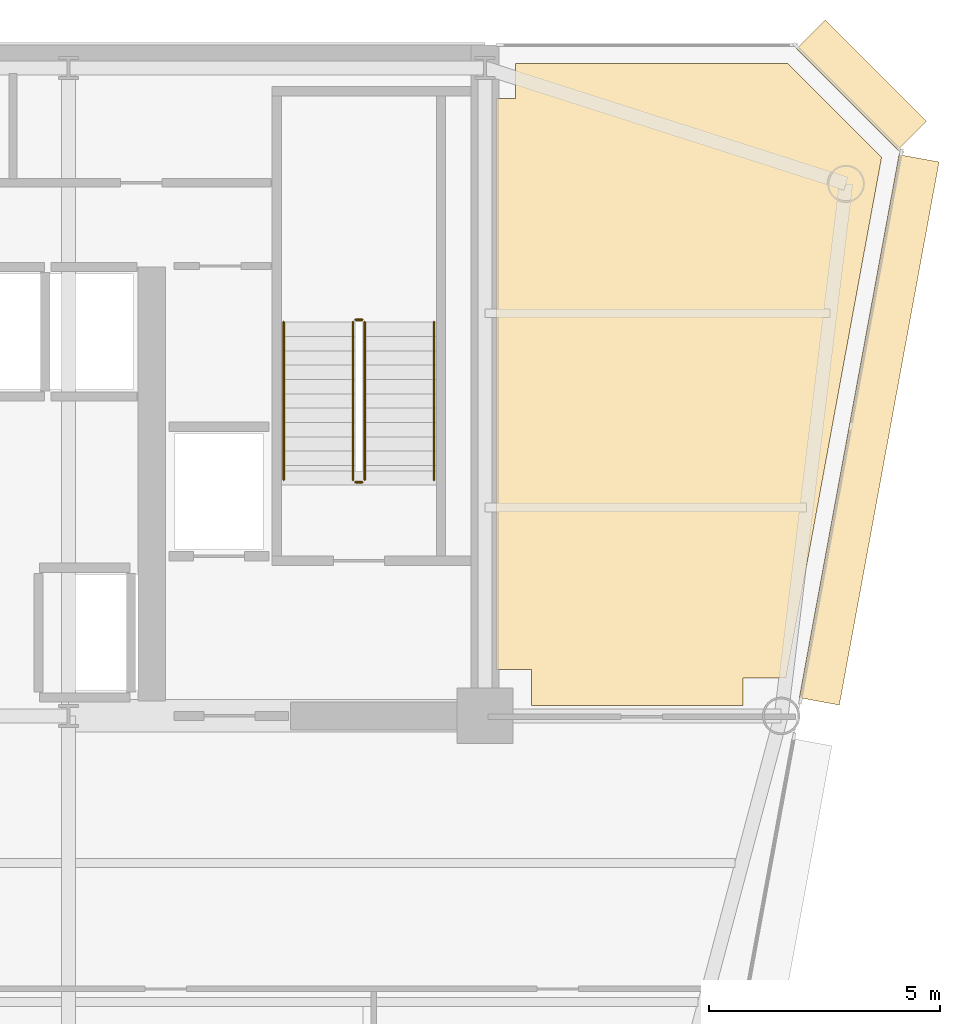
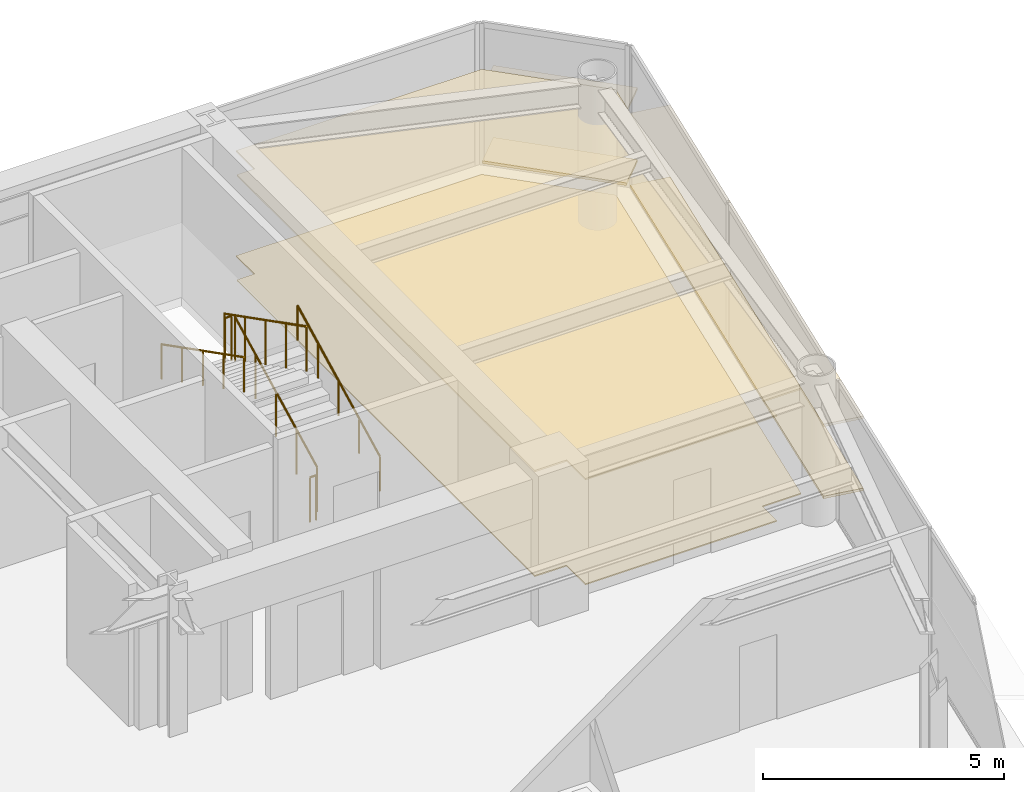
# One storey, part 16 of 16: 6 coverings, 6 railings.
"""IFC4 building model written with IfcOpenShell, lengths in metres."""

from ifc_helpers import new_model, si_unit, direction, frame, origin, origin_2d, place, context, subcontext, project, spatial, polyline, rectangle, circle, outline, extrude, source, transform, mapped, material, layer, layer_set, type_object, element, save


model = new_model("IFC4")

# Units and contexts
model_context = context("Model", 3, precision=1e-05, world=origin(), true_north=direction((0.0, 1.0)))
body_context = subcontext(model_context, "Body", "Model", "MODEL_VIEW")
ifc_project = project(units=[si_unit("LENGTHUNIT", "METRE"), si_unit("AREAUNIT", "SQUARE_METRE"), si_unit("VOLUMEUNIT", "CUBIC_METRE"), si_unit("PLANEANGLEUNIT", "RADIAN"), si_unit("MASSUNIT", "GRAM", prefix="KILO")], contexts=[model_context])

# Site, building, storey
site_placement = place(None, origin())
site = spatial("IfcSite", under=ifc_project, at=site_placement, CompositionType="ELEMENT")
building_placement = place(site_placement, origin())
building = spatial("IfcBuilding", under=site, at=building_placement, Name="Vaeldorn Concourse Tower", CompositionType="ELEMENT")
storey_placement = place(building_placement, frame((0.0, 0.0, 188.0)))
storey = spatial("IfcBuildingStorey", under=building, at=storey_placement, Name="L48", CompositionType="ELEMENT", Elevation=188.0)

# Coverings
ifc_material_1 = material(Name="Acoustic Mineral Fibre Board", Category="gypsum")
ifc_layer_1 = layer(ifc_material_1, 0.0400390625)
ifc_layer_set_1 = layer_set([ifc_layer_1], Name="Acoustic Mineral Fibre Board")
covering_type_1 = type_object("IfcCoveringType", Name="COV-CEIL-ACOUSTIC", PredefinedType="CEILING", material=ifc_layer_set_1)
covering_1_placement = place(storey_placement, frame((0.0, 0.0, 2.64990234375)))
element("IfcCovering", 1, at=covering_1_placement, inside=storey, type_object=covering_type_1, Name="Suspended Acoustic Ceiling L48-5", PredefinedType="CEILING", context=body_context, shape_type="SweptSolid", body=[
    extrude(outline(polyline([(54.659912109375, 49.840087890625), (54.659912109375, 50.60009765625), (60.5341796875, 50.60009765625), (62.568603515625, 48.565673828125), (60.50390625, 37.320068359375), (59.580078125, 37.320068359375), (59.580078125, 36.719970703125), (55.0, 36.719970703125), (55.0, 37.5), (54.239990234375, 37.5), (54.239990234375, 49.840087890625), (54.659912109375, 49.840087890625)])), origin(), (0.0, 0.0, 1.0), 0.0400390625),
])
ifc_material_2 = material(Name="Honed Limestone Terrazzo Flooring", Category="masonry")
ifc_layer_2 = layer(ifc_material_2, 0.0400390625)
ifc_layer_set_2 = layer_set([ifc_layer_2], Name="Honed Limestone Terrazzo Flooring")
covering_type_2 = type_object("IfcCoveringType", Name="COV-FLOOR-STONE", PredefinedType="FLOORING", material=ifc_layer_set_2)
covering_2_placement = place(storey_placement, origin())
element("IfcCovering", 2, at=covering_2_placement, inside=storey, type_object=covering_type_2, Name="Floor Finish Covering L48-5", PredefinedType="FLOORING", context=body_context, shape_type="SweptSolid", body=[
    extrude(outline(polyline([(54.659912109375, 49.840087890625), (54.659912109375, 50.60009765625), (60.5341796875, 50.60009765625), (62.568603515625, 48.565673828125), (60.50390625, 37.320068359375), (59.580078125, 37.320068359375), (59.580078125, 36.719970703125), (55.0, 36.719970703125), (55.0, 37.5), (54.239990234375, 37.5), (54.239990234375, 49.840087890625), (54.659912109375, 49.840087890625)])), origin(), (0.0, 0.0, 1.0), 0.030029296875),
])

# Railings
ifc_material_3 = material(Name="Anodised Bronze Aluminium", Category="aluminium")
railing_type_1 = type_object("IfcRailingType", Name="RL-STAIR-GUARD", PredefinedType="GUARDRAIL", material=ifc_material_3)
railing_1_placement = place(storey_placement, frame((51.39990234375, 41.60009765625, 0.158447265625)))
element("IfcRailing", 3, at=railing_1_placement, inside=storey, type_object=railing_type_1, Name="L48 ST-2 stair guard 1", PredefinedType="GUARDRAIL", context=body_context, shape_type="SweptSolid", body=[
    extrude(circle(Radius=0.02392578125, at=origin_2d()), frame((0.0, 0.0, 1.1259765625), z_axis=(0.0, 0.890581635807, 0.454823427236), x_axis=(-1.0, 0.0, 0.0)), (0.0, 0.0, 1.0), 3.828857421875),
    extrude(circle(Radius=0.02099609375, at=origin_2d()), origin(), (0.0, 0.0, 1.0), 1.101806640625),
    extrude(circle(Radius=0.02099609375, at=origin_2d()), frame((0.0, 0.8525390625, 0.435302734375)), (0.0, 0.0, 1.0), 1.101806640625),
    extrude(circle(Radius=0.02099609375, at=origin_2d()), frame((0.0, 1.705078125, 0.87060546875)), (0.0, 0.0, 1.0), 1.101806640625),
    extrude(circle(Radius=0.02099609375, at=origin_2d()), frame((0.0, 2.557373046875, 1.30615234375)), (0.0, 0.0, 1.0), 1.101806640625),
    extrude(circle(Radius=0.02099609375, at=origin_2d()), frame((0.0, 3.409912109375, 1.741455078125)), (0.0, 0.0, 1.0), 1.101806640625),
])
railing_2_placement = place(storey_placement, frame((51.35009765625, 45.06005859375, 1.89990234375)))
element("IfcRailing", 4, at=railing_2_placement, inside=storey, type_object=railing_type_1, Name="L48 ST-2 stair guard 2", PredefinedType="GUARDRAIL", context=body_context, shape_type="SweptSolid", body=[
    extrude(circle(Radius=0.02392578125, at=origin_2d()), frame((0.0, 0.0, 1.1259765625), z_axis=(-1.0, 0.0, 0.0), x_axis=(0.0, -1.0, 0.0)), (0.0, 0.0, 1.0), 0.150146484375),
    extrude(circle(Radius=0.02099609375, at=origin_2d()), origin(), (0.0, 0.0, 1.0), 1.101806640625),
    extrude(circle(Radius=0.02099609375, at=origin_2d()), frame((-0.150146484375, 0.0, 0.0)), (0.0, 0.0, 1.0), 1.101806640625),
])
railing_3_placement = place(storey_placement, frame((51.14990234375, 45.010009765625, 2.058349609375)))
element("IfcRailing", 5, at=railing_3_placement, inside=storey, type_object=railing_type_1, Name="L48 ST-2 stair guard 3", PredefinedType="GUARDRAIL", context=body_context, shape_type="SweptSolid", body=[
    extrude(circle(Radius=0.02392578125, at=origin_2d()), frame((0.0, 0.0, 1.1259765625), z_axis=(0.0, -0.890555807335, 0.454873997962), x_axis=(1.0, 0.0, 0.0)), (0.0, 0.0, 1.0), 3.828857421875),
    extrude(circle(Radius=0.02099609375, at=origin_2d()), origin(), (0.0, 0.0, 1.0), 1.101806640625),
    extrude(circle(Radius=0.02099609375, at=origin_2d()), frame((0.0, -0.8525390625, 0.435546875)), (0.0, 0.0, 1.0), 1.101806640625),
    extrude(circle(Radius=0.02099609375, at=origin_2d()), frame((0.0, -1.705078125, 0.870849609375)), (0.0, 0.0, 1.0), 1.101806640625),
    extrude(circle(Radius=0.02099609375, at=origin_2d()), frame((0.0, -2.557373046875, 1.30615234375)), (0.0, 0.0, 1.0), 1.101806640625),
    extrude(circle(Radius=0.02099609375, at=origin_2d()), frame((0.0, -3.409912109375, 1.74169921875)), (0.0, 0.0, 1.0), 1.101806640625),
])
railing_4_placement = place(storey_placement, frame((51.35009765625, 41.550048828125, 0.0)))
element("IfcRailing", 6, at=railing_4_placement, inside=storey, type_object=railing_type_1, Name="L48 ST-2 stair guard 4", PredefinedType="GUARDRAIL", context=body_context, shape_type="SweptSolid", body=[
    extrude(circle(Radius=0.02392578125, at=origin_2d()), frame((0.0, 0.0, 1.1259765625), z_axis=(-1.0, 0.0, 0.0), x_axis=(0.0, -1.0, 0.0)), (0.0, 0.0, 1.0), 0.150146484375),
    extrude(circle(Radius=0.02099609375, at=origin_2d()), origin(), (0.0, 0.0, 1.0), 1.101806640625),
    extrude(circle(Radius=0.02099609375, at=origin_2d()), frame((-0.150146484375, 0.0, 0.0)), (0.0, 0.0, 1.0), 1.101806640625),
])
railing_type_2 = type_object("IfcRailingType", Name="RL-STAIR-HANDRAIL", PredefinedType="HANDRAIL", material=ifc_material_3)
railing_5_placement = place(storey_placement, frame((52.89990234375, 41.60009765625, 0.158447265625)))
element("IfcRailing", 7, at=railing_5_placement, inside=storey, type_object=railing_type_2, Name="L48 ST-2 stair handrail 1", PredefinedType="HANDRAIL", context=body_context, shape_type="SweptSolid", body=[
    extrude(circle(Radius=0.02392578125, at=origin_2d()), frame((0.0, 0.0, 0.8759765625), z_axis=(0.0, 0.890581635807, 0.454823427236), x_axis=(-1.0, 0.0, 0.0)), (0.0, 0.0, 1.0), 3.828857421875),
    extrude(circle(Radius=0.02099609375, at=origin_2d()), origin(), (0.0, 0.0, 1.0), 0.851806640625),
    extrude(circle(Radius=0.02099609375, at=origin_2d()), frame((0.0, 0.8525390625, 0.435302734375)), (0.0, 0.0, 1.0), 0.851806640625),
    extrude(circle(Radius=0.02099609375, at=origin_2d()), frame((0.0, 1.705078125, 0.87060546875)), (0.0, 0.0, 1.0), 0.851806640625),
    extrude(circle(Radius=0.02099609375, at=origin_2d()), frame((0.0, 2.557373046875, 1.30615234375)), (0.0, 0.0, 1.0), 0.851806640625),
    extrude(circle(Radius=0.02099609375, at=origin_2d()), frame((0.0, 3.409912109375, 1.741455078125)), (0.0, 0.0, 1.0), 0.851806640625),
])
railing_6_placement = place(storey_placement, frame((49.64990234375, 45.010009765625, 2.058349609375)))
element("IfcRailing", 8, at=railing_6_placement, inside=storey, type_object=railing_type_2, Name="L48 ST-2 stair handrail 2", PredefinedType="HANDRAIL", context=body_context, shape_type="SweptSolid", body=[
    extrude(circle(Radius=0.02392578125, at=origin_2d()), frame((0.0, 0.0, 0.8759765625), z_axis=(0.0, -0.890555807335, 0.454873997962), x_axis=(1.0, 0.0, 0.0)), (0.0, 0.0, 1.0), 3.828857421875),
    extrude(circle(Radius=0.02099609375, at=origin_2d()), origin(), (0.0, 0.0, 1.0), 0.851806640625),
    extrude(circle(Radius=0.02099609375, at=origin_2d()), frame((0.0, -0.8525390625, 0.435546875)), (0.0, 0.0, 1.0), 0.851806640625),
    extrude(circle(Radius=0.02099609375, at=origin_2d()), frame((0.0, -1.705078125, 0.870849609375)), (0.0, 0.0, 1.0), 0.851806640625),
    extrude(circle(Radius=0.02099609375, at=origin_2d()), frame((0.0, -2.557373046875, 1.30615234375)), (0.0, 0.0, 1.0), 0.851806640625),
    extrude(circle(Radius=0.02099609375, at=origin_2d()), frame((0.0, -3.409912109375, 1.74169921875)), (0.0, 0.0, 1.0), 0.851806640625),
])

# Coverings
ifc_layer_3 = layer(ifc_material_3, 0.06494140625)
ifc_layer_set_3 = layer_set([ifc_layer_3], Name="Anodised Bronze Aluminium")
covering_type_3 = type_object("IfcCoveringType", Name="SD-BRONZE-SUNSHADE", PredefinedType="USERDEFINED", material=ifc_layer_set_3)
shared_shape_1 = source(origin(), body_context, "Body", "SweptSolid", [
    extrude(rectangle(XDim=3.0927734375, YDim=0.8798828125, at=origin_2d()), origin(), (0.0, 0.0, 1.0), 0.06494140625),
])
for number, where, z_axis, x_axis, name in (
    (9, (62.1328125, 50.1328125, 0.047607421875), (0.0, 0.0, 1.0), (-0.707106781187, 0.707106781187, 0.0), "Horizontal Bronze Sunshade L48-E08.1.1"),
    (10, (62.1328125, 50.1328125, 1.867431640625), (0.0, 0.0, 1.0), (-0.707106781187, 0.707106781187, 0.0), "Horizontal Bronze Sunshade L48-E08.1.2"),
):
    element("IfcCovering", number, at=place(storey_placement, frame(where, z_axis=z_axis, x_axis=x_axis)), inside=storey, type_object=covering_type_3, Name=name, ObjectType="SUNSHADE", PredefinedType="USERDEFINED", context=body_context, shape_type="MappedRepresentation", body=[
        mapped(shared_shape_1, transform((0.0, 0.0, 0.0), scale=1.0)),
    ])
shared_shape_2 = source(origin(), body_context, "Body", "SweptSolid", [
    extrude(rectangle(XDim=11.931396484375, YDim=0.8798828125, at=origin_2d()), origin(), (0.0, 0.0, 1.0), 0.06494140625),
])
for number, where, z_axis, x_axis, name in (
    (11, (62.3017578125, 42.681396484375, 0.047607421875), (0.0, 0.0, 1.0), (0.180587811053, 0.983558865803, 0.0), "Horizontal Bronze Sunshade L48-E07.2.1"),
    (12, (62.3017578125, 42.681396484375, 1.867431640625), (0.0, 0.0, 1.0), (0.180587811053, 0.983558865803, 0.0), "Horizontal Bronze Sunshade L48-E07.2.2"),
):
    element("IfcCovering", number, at=place(storey_placement, frame(where, z_axis=z_axis, x_axis=x_axis)), inside=storey, type_object=covering_type_3, Name=name, ObjectType="SUNSHADE", PredefinedType="USERDEFINED", context=body_context, shape_type="MappedRepresentation", body=[
        mapped(shared_shape_2, transform((0.0, 0.0, 0.0), scale=1.0)),
    ])

save(model, "model.ifc")
